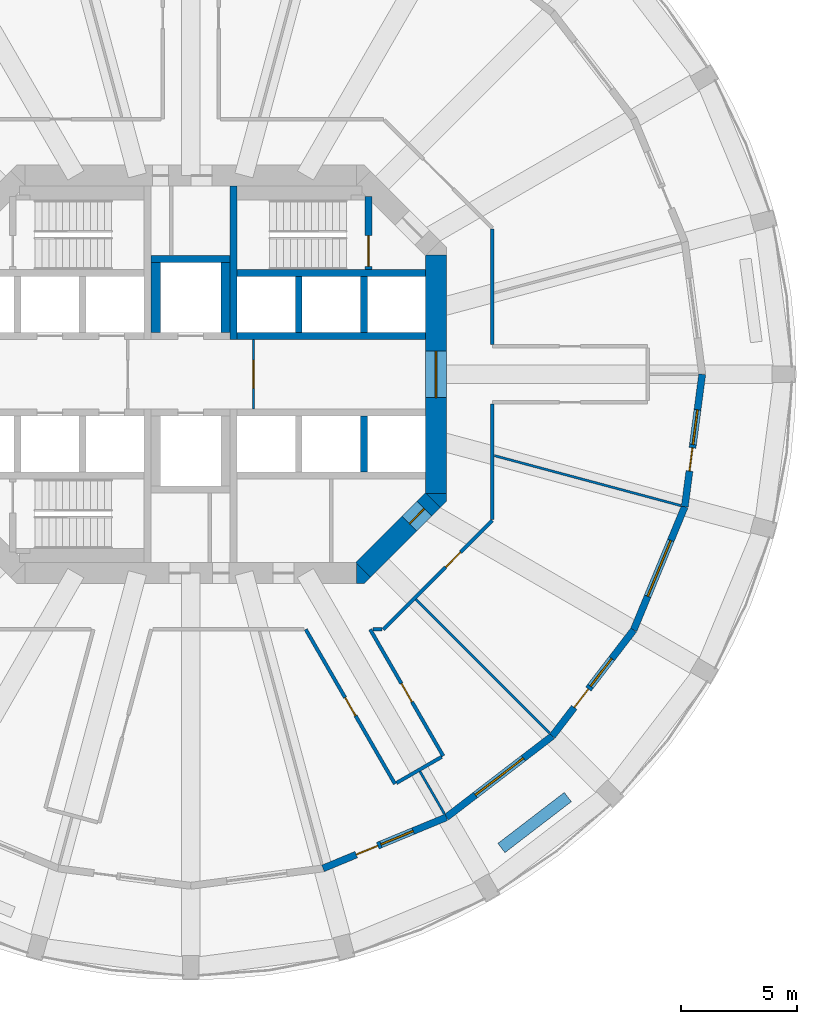
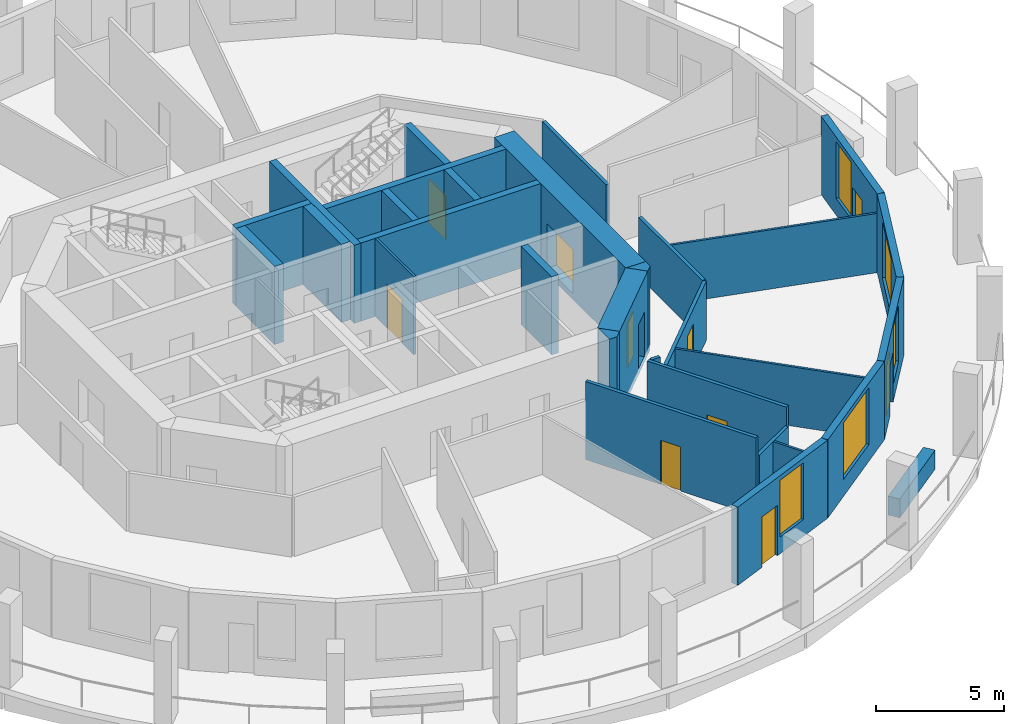
# One storey, part 4 of 8: 31 walls, 10 doors, 5 windows, 15 openings.
"""IFC4 building model written with IfcOpenShell, lengths in metres."""

from ifc_helpers import new_model, si_unit, direction, frame, frame_2d, origin, place, context, subcontext, project, spatial, polyline, rectangle, outline, extrude, material, layer, layer_set, type_object, element, fill, save


model = new_model("IFC4")

# Units and contexts
model_context = context("Model", 3, precision=1e-05, world=origin(), true_north=direction((0.0, 1.0)))
body_context = subcontext(model_context, "Body", "Model", "MODEL_VIEW")
ifc_project = project(units=[si_unit("LENGTHUNIT", "METRE"), si_unit("AREAUNIT", "SQUARE_METRE"), si_unit("VOLUMEUNIT", "CUBIC_METRE"), si_unit("PLANEANGLEUNIT", "RADIAN"), si_unit("MASSUNIT", "GRAM", prefix="KILO")], contexts=[model_context])

# Site, building, storey
site_placement = place(None, origin())
site = spatial("IfcSite", under=ifc_project, at=site_placement, CompositionType="ELEMENT")
building_placement = place(site_placement, origin())
building = spatial("IfcBuilding", under=site, at=building_placement, Name="Torre Triforio", CompositionType="ELEMENT")
storey_placement = place(building_placement, frame((0.0, 0.0, 90.60009765625)))
storey = spatial("IfcBuildingStorey", under=building, at=storey_placement, Name="L19", CompositionType="ELEMENT", Elevation=90.60009765625)

# Wall
ifc_material_1 = material(Name="Concrete C60", Category="concrete")
ifc_layer_1 = layer(ifc_material_1, 0.300048828125)
ifc_layer_set_1 = layer_set([ifc_layer_1], Name="Concrete C60")
wall_type_1 = type_object("IfcWallType", Name="Core wall 300 mm C60 EI 120", PredefinedType="SHEAR", material=ifc_layer_set_1)
wall_1_placement = place(storey_placement, frame((1.85009765625, 1.5, 0.0), z_axis=(0.0, 0.0, 1.0), x_axis=(0.0, 1.0, 0.0)))
element("IfcWall", 1, at=wall_1_placement, inside=storey, type_object=wall_type_1, Name="Core wall", PredefinedType="SHEAR", context=body_context, shape_type="SweptSolid", body=[
    extrude(rectangle(XDim=6.60009765625, YDim=0.300048828125, at=frame_2d((3.300048828125, 0.0))), origin(), (0.0, 0.0, 1.0), 3.719970703125),
])

# Wall, opening, door
ifc_layer_2 = layer(ifc_material_1, 0.89990234375)
ifc_layer_set_2 = layer_set([ifc_layer_2], Name="Concrete C60")
wall_type_2 = type_object("IfcWallType", Name="Core wall 900 mm C60 EI 120", PredefinedType="SHEAR", material=ifc_layer_set_2)
wall_2_placement = place(storey_placement, frame((10.550048828125, -5.1298828125, -0.280029296875), z_axis=(0.0, 0.0, 1.0), x_axis=(0.0, 1.0, 0.0)))
wall_2 = element("IfcWall", 2, at=wall_2_placement, inside=storey, type_object=wall_type_2, Name="Core wall", PredefinedType="SHEAR", context=body_context, shape_type="SweptSolid", body=[
    extrude(rectangle(XDim=10.259765625, YDim=0.89990234375, at=frame_2d((5.1298828125, 0.0))), origin(), (0.0, 0.0, 1.0), 4.0),
])
opening_1_placement = place(wall_2_placement, frame((4.1298828125, 0.0, 0.280029296875)))
opening_1 = element("IfcOpeningElement", 3, at=opening_1_placement, cuts=wall_2, Name="Opening E-RING", PredefinedType="OPENING", context=body_context, shape_type="SweptSolid", body=[
    extrude(rectangle(XDim=2.0, YDim=2.10009765625, at=frame_2d((1.0, 1.050048828125))), frame((0.0, 0.4599609375, 0.0), z_axis=(0.0, -1.0, 0.0), x_axis=(1.0, 0.0, 0.0)), (0.0, 0.0, 1.0), 0.919921875),
])
ifc_material_2 = material(Name="Hollow metal fire door leaf")
door_type_1 = type_object("IfcDoorType", Name="Lobby door 2000 x 2100 EI 60", OperationType="DOUBLE_DOOR_SINGLE_SWING", PredefinedType="DOOR", material=ifc_material_2)
door_1_placement = place(opening_1_placement, origin())
door_1 = element("IfcDoor", 4, at=door_1_placement, inside=storey, type_object=door_type_1, Name="Core door E-RING", OperationType="DOUBLE_DOOR_SINGLE_SWING", OverallHeight=2.10009765625, OverallWidth=2.0, PredefinedType="DOOR", context=body_context, shape_type="SweptSolid", body=[
    extrude(rectangle(XDim=2.0, YDim=2.10009765625, at=frame_2d((1.0, 1.050048828125))), frame((0.0, 0.02490234375, 0.0), z_axis=(0.0, -1.0, 0.0), x_axis=(1.0, 0.0, 0.0)), (0.0, 0.0, 1.0), 0.050048828125),
])
fill(opening_1, door_1)

wall_3_placement = place(storey_placement, frame((10.418212890625, -5.418212890625, -0.280029296875), z_axis=(0.0, 0.0, 1.0), x_axis=(-0.707106781187, -0.707106781187, 0.0)))
wall_3 = element("IfcWall", 5, at=wall_3_placement, inside=storey, type_object=wall_type_2, Name="Core wall", PredefinedType="SHEAR", context=body_context, shape_type="SweptSolid", body=[
    extrude(rectangle(XDim=4.24267578125, YDim=0.89990234375, at=frame_2d((2.121337890625, 0.0))), origin(), (0.0, 0.0, 1.0), 4.0),
])
opening_2_placement = place(wall_3_placement, frame((0.52001953125, 0.0, 0.280029296875)))
opening_2 = element("IfcOpeningElement", 6, at=opening_2_placement, cuts=wall_3, Name="Opening SE-02", PredefinedType="OPENING", context=body_context, shape_type="SweptSolid", body=[
    extrude(rectangle(XDim=0.89990234375, YDim=2.10009765625, at=frame_2d((0.449951171875, 1.050048828125))), frame((0.0, 0.4599609375, 0.0), z_axis=(0.0, -1.0, 0.0), x_axis=(1.0, 0.0, 0.0)), (0.0, 0.0, 1.0), 0.919921875),
])
door_type_2 = type_object("IfcDoorType", Name="Room door 900 x 2100 EI 60", OperationType="NOTDEFINED", PredefinedType="DOOR", material=ifc_material_2)
door_2_placement = place(opening_2_placement, origin())
door_2 = element("IfcDoor", 7, at=door_2_placement, inside=storey, type_object=door_type_2, Name="Core door SE-02", OperationType="SINGLE_SWING_RIGHT", OverallHeight=2.10009765625, OverallWidth=0.89990234375, PredefinedType="DOOR", context=body_context, shape_type="SweptSolid", body=[
    extrude(rectangle(XDim=0.89990234375, YDim=2.10009765625, at=frame_2d((0.449951171875, 1.050048828125))), frame((0.0, 0.02490234375, 0.0), z_axis=(0.0, -1.0, 0.0), x_axis=(1.0, 0.0, 0.0)), (0.0, 0.0, 1.0), 0.050048828125),
])
fill(opening_2, door_2)

# Walls
wall_4_placement = place(storey_placement, frame((0.0, 0.0, -0.280029296875)))
element("IfcWall", 8, at=wall_4_placement, inside=storey, type_object=wall_type_2, Name="Core wall", PredefinedType="SHEAR", context=body_context, shape_type="SweptSolid", body=[
    extrude(outline(polyline([(7.472900390625, -9.0), (7.1298828125, -9.0), (7.1298828125, -8.1298828125), (7.736328125, -8.736328125), (7.472900390625, -9.0)])), origin(), (0.0, 0.0, 1.0), 4.0),
])
wall_5_placement = place(storey_placement, frame((0.0, 0.0, -0.280029296875)))
element("IfcWall", 9, at=wall_5_placement, inside=storey, type_object=wall_type_2, Name="Core wall", PredefinedType="SHEAR", context=body_context, shape_type="SweptSolid", body=[
    extrude(outline(polyline([(11.0, -5.472900390625), (10.736328125, -5.736328125), (10.1298828125, -5.1298828125), (11.0, -5.1298828125), (11.0, -5.472900390625)])), origin(), (0.0, 0.0, 1.0), 4.0),
])
ifc_material_3 = material(Name="Plasterboard on metal studs")
ifc_layer_3 = layer(ifc_material_3, 0.14990234375)
ifc_layer_set_3 = layer_set([ifc_layer_3], Name="Plasterboard on metal studs")
wall_type_3 = type_object("IfcWallType", Name="Corridor and tenancy wall 150 mm EI 60", PredefinedType="PARTITIONING", material=ifc_layer_set_3)
wall_6_placement = place(storey_placement, frame((12.97509765625, -1.27490234375, 0.0), z_axis=(0.0, 0.0, 1.0), x_axis=(0.0, -1.0, 0.0)))
element("IfcWall", 10, at=wall_6_placement, inside=storey, type_object=wall_type_3, Name="Partition 2", PredefinedType="PARTITIONING", context=body_context, shape_type="SweptSolid", body=[
    extrude(rectangle(XDim=4.96337890625, YDim=0.14990234375, at=frame_2d((2.481689453125, 0.0))), origin(), (0.0, 0.0, 1.0), 2.81982421875),
])

# Wall, opening, door
wall_7_placement = place(storey_placement, frame((12.97509765625, -6.291015625, 0.0), z_axis=(0.0, 0.0, 1.0), x_axis=(-0.707106781187, -0.707106781187, 0.0)))
wall_7 = element("IfcWall", 11, at=wall_7_placement, inside=storey, type_object=wall_type_3, Name="Partition 3", PredefinedType="PARTITIONING", context=body_context, shape_type="SweptSolid", body=[
    extrude(rectangle(XDim=6.624267578125, YDim=0.14990234375, at=frame_2d((3.31201171875, 0.0))), origin(), (0.0, 0.0, 1.0), 2.81982421875),
])
opening_3_placement = place(wall_7_placement, frame((1.938232421875, 0.0, 0.0)))
opening_3 = element("IfcOpeningElement", 12, at=opening_3_placement, cuts=wall_7, Name="Opening N6-10", PredefinedType="OPENING", context=body_context, shape_type="SweptSolid", body=[
    extrude(rectangle(XDim=0.89990234375, YDim=2.10009765625, at=frame_2d((0.449951171875, 1.050048828125))), frame((0.0, 0.0849609375, 0.0), z_axis=(0.0, -1.0, 0.0), x_axis=(1.0, 0.0, 0.0)), (0.0, 0.0, 1.0), 0.169921875),
])
ifc_material_4 = material(Name="Timber", Category="wood")
door_type_3 = type_object("IfcDoorType", Name="Door 900 x 2100 single leaf EI 30", OperationType="NOTDEFINED", PredefinedType="DOOR", material=ifc_material_4)
door_3_placement = place(opening_3_placement, origin())
door_3 = element("IfcDoor", 13, at=door_3_placement, inside=storey, type_object=door_type_3, Name="Door N6-10", OperationType="SINGLE_SWING_RIGHT", OverallHeight=2.10009765625, OverallWidth=0.89990234375, PredefinedType="DOOR", context=body_context, shape_type="SweptSolid", body=[
    extrude(rectangle(XDim=0.89990234375, YDim=2.10009765625, at=frame_2d((0.449951171875, 1.050048828125))), frame((0.0, 0.02490234375, 0.0), z_axis=(0.0, -1.0, 0.0), x_axis=(1.0, 0.0, 0.0)), (0.0, 0.0, 1.0), 0.050048828125),
])
fill(opening_3, door_3)

# Wall
wall_8_placement = place(storey_placement, frame((8.23828125, -10.97509765625, 0.0), z_axis=(0.0, 0.0, 1.0), x_axis=(-1.0, 0.0, 0.0)))
element("IfcWall", 14, at=wall_8_placement, inside=storey, type_object=wall_type_3, Name="Partition 4", PredefinedType="PARTITIONING", context=body_context, shape_type="SweptSolid", body=[
    extrude(rectangle(XDim=0.38623046875, YDim=0.14990234375, at=frame_2d((0.193115234375, 0.0))), origin(), (0.0, 0.0, 1.0), 3.719970703125),
])

# Wall, opening, door
wall_9_placement = place(storey_placement, frame((7.72216796875, -10.97509765625, 0.0), z_axis=(0.0, 0.0, 1.0), x_axis=(0.499988183684, -0.86603222583, 0.0)))
wall_9 = element("IfcWall", 15, at=wall_9_placement, inside=storey, type_object=wall_type_3, Name="Partition 5", PredefinedType="PARTITIONING", context=body_context, shape_type="SweptSolid", body=[
    extrude(rectangle(XDim=6.282958984375, YDim=0.14990234375, at=frame_2d((3.1416015625, 0.0))), origin(), (0.0, 0.0, 1.0), 3.719970703125),
])
opening_4_placement = place(wall_9_placement, frame((2.69140625, 0.0, 0.0)))
opening_4 = element("IfcOpeningElement", 16, at=opening_4_placement, cuts=wall_9, Name="Opening N6-09", PredefinedType="OPENING", context=body_context, shape_type="SweptSolid", body=[
    extrude(rectangle(XDim=0.89990234375, YDim=2.10009765625, at=frame_2d((0.449951171875, 1.050048828125))), frame((0.0, 0.0849609375, 0.0), z_axis=(0.0, -1.0, 0.0), x_axis=(1.0, 0.0, 0.0)), (0.0, 0.0, 1.0), 0.169921875),
])
door_4_placement = place(opening_4_placement, origin())
door_4 = element("IfcDoor", 17, at=door_4_placement, inside=storey, type_object=door_type_3, Name="Door N6-09", OperationType="SINGLE_SWING_LEFT", OverallHeight=2.10009765625, OverallWidth=0.89990234375, PredefinedType="DOOR", context=body_context, shape_type="SweptSolid", body=[
    extrude(rectangle(XDim=0.89990234375, YDim=2.10009765625, at=frame_2d((0.449951171875, 1.050048828125))), frame((0.0, 0.02490234375, 0.0), z_axis=(0.0, -1.0, 0.0), x_axis=(1.0, 0.0, 0.0)), (0.0, 0.0, 1.0), 0.050048828125),
])
fill(opening_4, door_4)

# Wall
wall_10_placement = place(storey_placement, frame((10.798583984375, -16.453857421875, 0.0), z_axis=(0.0, 0.0, 1.0), x_axis=(-0.866017533419, -0.500013631625, 0.0)))
element("IfcWall", 18, at=wall_10_placement, inside=storey, type_object=wall_type_3, Name="Partition 6", PredefinedType="PARTITIONING", context=body_context, shape_type="SweptSolid", body=[
    extrude(rectangle(XDim=2.25, YDim=0.14990234375, at=frame_2d((1.125, 0.0))), origin(), (0.0, 0.0, 1.0), 2.81982421875),
])

# Wall, opening, door
wall_11_placement = place(storey_placement, frame((8.78515625, -17.6162109375, 0.0), z_axis=(0.0, 0.0, 1.0), x_axis=(-0.500021918639, 0.866012748683, 0.0)))
wall_11 = element("IfcWall", 19, at=wall_11_placement, inside=storey, type_object=wall_type_3, Name="Partition 7", PredefinedType="PARTITIONING", context=body_context, shape_type="SweptSolid", body=[
    extrude(rectangle(XDim=7.668701171875, YDim=0.14990234375, at=frame_2d((3.83447265625, 0.0))), origin(), (0.0, 0.0, 1.0), 3.719970703125),
])
opening_5_placement = place(wall_11_placement, frame((3.38427734375, 0.0, 0.0)))
opening_5 = element("IfcOpeningElement", 20, at=opening_5_placement, cuts=wall_11, Name="Opening N6-08", PredefinedType="OPENING", context=body_context, shape_type="SweptSolid", body=[
    extrude(rectangle(XDim=0.89990234375, YDim=2.10009765625, at=frame_2d((0.449951171875, 1.050048828125))), frame((0.0, 0.0849609375, 0.0), z_axis=(0.0, -1.0, 0.0), x_axis=(1.0, 0.0, 0.0)), (0.0, 0.0, 1.0), 0.169921875),
])
door_5_placement = place(opening_5_placement, origin())
door_5 = element("IfcDoor", 21, at=door_5_placement, inside=storey, type_object=door_type_3, Name="Door N6-08", OperationType="SINGLE_SWING_RIGHT", OverallHeight=2.10009765625, OverallWidth=0.89990234375, PredefinedType="DOOR", context=body_context, shape_type="SweptSolid", body=[
    extrude(rectangle(XDim=0.89990234375, YDim=2.10009765625, at=frame_2d((0.449951171875, 1.050048828125))), frame((0.0, 0.02490234375, 0.0), z_axis=(0.0, -1.0, 0.0), x_axis=(1.0, 0.0, 0.0)), (0.0, 0.0, 1.0), 0.050048828125),
])
fill(opening_5, door_5)

# Wall
wall_12_placement = place(storey_placement, frame((12.97509765625, 6.23828125, 0.0), z_axis=(0.0, 0.0, 1.0), x_axis=(0.0, -1.0, 0.0)))
element("IfcWall", 22, at=wall_12_placement, inside=storey, type_object=wall_type_3, Name="Partition 26", PredefinedType="PARTITIONING", context=body_context, shape_type="SweptSolid", body=[
    extrude(rectangle(XDim=4.96337890625, YDim=0.14990234375, at=frame_2d((2.481689453125, 0.0))), origin(), (0.0, 0.0, 1.0), 2.81982421875),
])

# Wall, opening, door
ifc_material_5 = material(Name="Block and board partition")
ifc_layer_4 = layer(ifc_material_5, 0.10009765625)
ifc_layer_set_4 = layer_set([ifc_layer_4], Name="Block and board partition")
wall_type_4 = type_object("IfcWallType", Name="Partition 100 mm EI 120", PredefinedType="PARTITIONING", material=ifc_layer_set_4)
wall_13_placement = place(storey_placement, frame((2.699951171875, -1.5, 0.0), z_axis=(0.0, 0.0, 1.0), x_axis=(0.0, 1.0, 0.0)))
wall_13 = element("IfcWall", 23, at=wall_13_placement, inside=storey, type_object=wall_type_4, Name="Partition", PredefinedType="PARTITIONING", context=body_context, shape_type="SweptSolid", body=[
    extrude(rectangle(XDim=3.0, YDim=0.10009765625, at=frame_2d((1.5, 0.0))), origin(), (0.0, 0.0, 1.0), 3.719970703125),
])
opening_6_placement = place(wall_13_placement, frame((0.89990234375, 0.0, 0.0)))
opening_6 = element("IfcOpeningElement", 24, at=opening_6_placement, cuts=wall_13, Name="Opening FF-E", PredefinedType="OPENING", context=body_context, shape_type="SweptSolid", body=[
    extrude(rectangle(XDim=1.199951171875, YDim=2.10009765625, at=frame_2d((0.60009765625, 1.050048828125))), frame((0.0, 0.06005859375, 0.0), z_axis=(0.0, -1.0, 0.0), x_axis=(1.0, 0.0, 0.0)), (0.0, 0.0, 1.0), 0.1201171875),
])
door_type_4 = type_object("IfcDoorType", Name="Fire-fighting lobby door 1200 x 2100 EI 60", OperationType="NOTDEFINED", PredefinedType="DOOR", material=ifc_material_2)
door_6_placement = place(opening_6_placement, origin())
door_6 = element("IfcDoor", 25, at=door_6_placement, inside=storey, type_object=door_type_4, Name="Core door FF-E", OperationType="SINGLE_SWING_LEFT", OverallHeight=2.10009765625, OverallWidth=1.199951171875, PredefinedType="DOOR", context=body_context, shape_type="SweptSolid", body=[
    extrude(rectangle(XDim=1.199951171875, YDim=2.10009765625, at=frame_2d((0.60009765625, 1.050048828125))), frame((0.0, 0.02490234375, 0.0), z_axis=(0.0, -1.0, 0.0), x_axis=(1.0, 0.0, 0.0)), (0.0, 0.0, 1.0), 0.050048828125),
])
fill(opening_6, door_6)

# Walls
ifc_layer_5 = layer(ifc_material_3, 0.10009765625)
ifc_layer_set_5 = layer_set([ifc_layer_5], Name="Plasterboard on metal studs")
wall_type_5 = type_object("IfcWallType", Name="Partition 100 mm board on metal studs", PredefinedType="PARTITIONING", material=ifc_layer_set_5)
wall_14_placement = place(storey_placement, frame((9.86181640625, -17.081298828125, 0.0), z_axis=(0.0, 0.0, 1.0), x_axis=(0.500065834316, -0.865987390988, 0.0)))
element("IfcWall", 26, at=wall_14_placement, inside=storey, type_object=wall_type_5, Name="Partition 38", PredefinedType="PARTITIONING", context=body_context, shape_type="SweptSolid", body=[
    extrude(rectangle(XDim=2.113037109375, YDim=0.10009765625, at=frame_2d((1.056640625, 0.0))), origin(), (0.0, 0.0, 1.0), 2.81982421875),
])
wall_15_placement = place(storey_placement, frame((9.68603515625, -9.68603515625, 0.0), z_axis=(0.0, 0.0, 1.0), x_axis=(0.707106781187, -0.707106781187, 0.0)))
element("IfcWall", 27, at=wall_15_placement, inside=storey, type_object=wall_type_5, Name="Partition 39", PredefinedType="PARTITIONING", context=body_context, shape_type="SweptSolid", body=[
    extrude(rectangle(XDim=8.138671875, YDim=0.10009765625, at=frame_2d((4.0693359375, 0.0))), origin(), (0.0, 0.0, 1.0), 2.81982421875),
])
wall_16_placement = place(storey_placement, frame((13.064208984375, -3.50048828125, 0.0), z_axis=(0.0, 0.0, 1.0), x_axis=(0.965920254223, -0.258839839442, 0.0)))
element("IfcWall", 28, at=wall_16_placement, inside=storey, type_object=wall_type_5, Name="Partition 40", PredefinedType="PARTITIONING", context=body_context, shape_type="SweptSolid", body=[
    extrude(rectangle(XDim=8.3115234375, YDim=0.10009765625, at=frame_2d((4.15576171875, 0.0))), origin(), (0.0, 0.0, 1.0), 2.81982421875),
])
ifc_material_6 = material(Name="Limestone cladding", Category="masonry")
ifc_layer_6 = layer(ifc_material_6, 0.10009765625)
ifc_material_7 = material(Name="Concrete C40", Category="concrete")
ifc_layer_7 = layer(ifc_material_7, 0.39990234375)
ifc_layer_set_6 = layer_set([ifc_layer_6, ifc_layer_7], Name="Limestone cladding / Concrete C40")
wall_type_6 = type_object("IfcWallType", Name="Planter wall 500", PredefinedType="PARAPET", material=ifc_layer_set_6)
wall_17_placement = place(storey_placement, frame((13.364990234375, -20.374267578125, 0.0), z_axis=(0.0, 0.0, 1.0), x_axis=(0.793326845617, 0.608795955984, 0.0)))
element("IfcWall", 29, at=wall_17_placement, inside=storey, type_object=wall_type_6, Name="Planter L19 bay 21", PredefinedType="PARAPET", context=body_context, shape_type="SweptSolid", body=[
    extrude(rectangle(XDim=3.599853515625, YDim=0.5, at=frame_2d((1.7998046875, 0.0))), origin(), (0.0, 0.0, 1.0), 0.89990234375),
])
ifc_layer_8 = layer(ifc_material_1, 0.300048828125)
ifc_layer_set_7 = layer_set([ifc_layer_8], Name="Concrete C60")
wall_type_7 = type_object("IfcWallType", Name="Shaft wall 300 mm C60 EI 120", PredefinedType="SOLIDWALL", material=ifc_layer_set_7)
for number, where, z_axis, x_axis, name in (
    (30, (2.0, 4.35009765625, 0.0), (0.0, 0.0, 1.0), (1.0, 0.0, 0.0), "Shaft wall"),
    (31, (2.0, 1.64990234375, 0.0), (0.0, 0.0, 1.0), (1.0, 0.0, 0.0), "Shaft wall"),
):
    element("IfcWall", number, at=place(storey_placement, frame(where, z_axis=z_axis, x_axis=x_axis)), inside=storey, type_object=wall_type_7, Name=name, PredefinedType="SOLIDWALL", context=body_context, shape_type="SweptSolid", body=[
        extrude(rectangle(XDim=8.10009765625, YDim=0.300048828125, at=frame_2d((4.050048828125, 0.0))), origin(), (0.0, 0.0, 1.0), 3.719970703125),
    ])
for number, where, z_axis, x_axis, name in (
    (32, (4.64990234375, 1.800048828125, 0.0), (0.0, 0.0, 1.0), (0.0, 1.0, 0.0), "Shaft wall"),
    (33, (7.449951171875, 1.800048828125, 0.0), (0.0, 0.0, 1.0), (0.0, 1.0, 0.0), "Shaft wall"),
    (34, (7.449951171875, -4.199951171875, 0.0), (0.0, 0.0, 1.0), (0.0, 1.0, 0.0), "Shaft wall"),
):
    element("IfcWall", number, at=place(storey_placement, frame(where, z_axis=z_axis, x_axis=x_axis)), inside=storey, type_object=wall_type_7, Name=name, PredefinedType="SOLIDWALL", context=body_context, shape_type="SweptSolid", body=[
        extrude(rectangle(XDim=2.39990234375, YDim=0.300048828125, at=frame_2d((1.199951171875, 0.0))), origin(), (0.0, 0.0, 1.0), 3.719970703125),
    ])
wall_18_placement = place(storey_placement, frame((-1.699951171875, 4.949951171875, 0.0), z_axis=(0.0, 0.0, 1.0), x_axis=(1.0, 0.0, 0.0)))
element("IfcWall", 35, at=wall_18_placement, inside=storey, type_object=wall_type_7, Name="Shaft wall", PredefinedType="SOLIDWALL", context=body_context, shape_type="SweptSolid", body=[
    extrude(rectangle(XDim=3.39990234375, YDim=0.300048828125, at=frame_2d((1.699951171875, 0.0))), origin(), (0.0, 0.0, 1.0), 3.719970703125),
])
ifc_layer_9 = layer(ifc_material_1, 0.39990234375)
ifc_layer_set_8 = layer_set([ifc_layer_9], Name="Concrete C60")
wall_type_8 = type_object("IfcWallType", Name="Shaft wall 400 mm C60 EI 120", PredefinedType="SOLIDWALL", material=ifc_layer_set_8)
for number, where, z_axis, x_axis, name in (
    (36, (-1.5, 1.800048828125, 0.0), (0.0, 0.0, 1.0), (0.0, 1.0, 0.0), "Shaft wall"),
    (37, (1.5, 1.800048828125, 0.0), (0.0, 0.0, 1.0), (0.0, 1.0, 0.0), "Shaft wall"),
):
    element("IfcWall", number, at=place(storey_placement, frame(where, z_axis=z_axis, x_axis=x_axis)), inside=storey, type_object=wall_type_8, Name=name, PredefinedType="SOLIDWALL", context=body_context, shape_type="SweptSolid", body=[
        extrude(rectangle(XDim=3.0, YDim=0.39990234375, at=frame_2d((1.5, 0.0))), origin(), (0.0, 0.0, 1.0), 3.719970703125),
    ])

# Wall, opening, door
ifc_layer_10 = layer(ifc_material_1, 0.300048828125)
ifc_layer_set_9 = layer_set([ifc_layer_10], Name="Concrete C60")
wall_type_9 = type_object("IfcWallType", Name="Stair wall 300 mm C60 EI 120", PredefinedType="SHEAR", material=ifc_layer_set_9)
wall_19_placement = place(storey_placement, frame((7.64990234375, 4.5, 0.0), z_axis=(0.0, 0.0, 1.0), x_axis=(0.0, 1.0, 0.0)))
wall_19 = element("IfcWall", 38, at=wall_19_placement, inside=storey, type_object=wall_type_9, Name="Stair wall", PredefinedType="SHEAR", context=body_context, shape_type="SweptSolid", body=[
    extrude(rectangle(XDim=3.139892578125, YDim=0.300048828125, at=frame_2d((1.56982421875, 0.0))), origin(), (0.0, 0.0, 1.0), 3.719970703125),
])
opening_7_placement = place(wall_19_placement, frame((0.139892578125, 0.0, 0.0)))
opening_7 = element("IfcOpeningElement", 39, at=opening_7_placement, cuts=wall_19, Name="Opening ST2-STA", PredefinedType="OPENING", context=body_context, shape_type="SweptSolid", body=[
    extrude(rectangle(XDim=1.320068359375, YDim=2.10009765625, at=frame_2d((0.66015625, 1.050048828125))), frame((0.0, 0.159912109375, 0.0), z_axis=(0.0, -1.0, 0.0), x_axis=(1.0, 0.0, 0.0)), (0.0, 0.0, 1.0), 0.320068359375),
])
door_type_5 = type_object("IfcDoorType", Name="Stair door 1320 x 2100 EI 90", OperationType="DOUBLE_DOOR_SINGLE_SWING", PredefinedType="DOOR", material=ifc_material_2)
door_7_placement = place(opening_7_placement, origin())
door_7 = element("IfcDoor", 40, at=door_7_placement, inside=storey, type_object=door_type_5, Name="Core door ST2-ST", OperationType="DOUBLE_DOOR_SINGLE_SWING", OverallHeight=2.10009765625, OverallWidth=1.320068359375, PredefinedType="DOOR", context=body_context, shape_type="SweptSolid", body=[
    extrude(rectangle(XDim=1.320068359375, YDim=2.10009765625, at=frame_2d((0.66015625, 1.050048828125))), frame((0.0, 0.02490234375, 0.0), z_axis=(0.0, -1.0, 0.0), x_axis=(1.0, 0.0, 0.0)), (0.0, 0.0, 1.0), 0.050048828125),
])
fill(opening_7, door_7)

# Wall, openings, door, window
ifc_layer_11 = layer(ifc_material_6, 0.10009765625)
ifc_layer_12 = layer(ifc_material_7, 0.199951171875)
ifc_layer_set_10 = layer_set([ifc_layer_11, ifc_layer_12], Name="Limestone cladding / Concrete C40")
wall_type_10 = type_object("IfcWallType", Name="Stone-faced composite wall 300", PredefinedType="STANDARD", material=ifc_layer_set_10)
wall_20_placement = place(storey_placement, frame((5.694091796875, -21.25048828125, 0.0), z_axis=(0.0, 0.0, 1.0), x_axis=(0.923866055759, 0.382715966503, 0.0)))
wall_20 = element("IfcWall", 41, at=wall_20_placement, inside=storey, type_object=wall_type_10, Name="External wall L19 bay 20", PredefinedType="STANDARD", context=body_context, shape_type="SweptSolid", body=[
    extrude(rectangle(XDim=5.7431640625, YDim=0.300048828125, at=frame_2d((2.87158203125, 0.0))), origin(), (0.0, 0.0, 1.0), 3.719970703125),
])
opening_8_placement = place(wall_20_placement, frame((1.546630859375, 0.0, 0.0)))
opening_8 = element("IfcOpeningElement", 42, at=opening_8_placement, cuts=wall_20, Name="Opening N6-D20", PredefinedType="OPENING", context=body_context, shape_type="SweptSolid", body=[
    extrude(rectangle(XDim=1.0, YDim=2.39990234375, at=frame_2d((0.5, 1.199951171875))), frame((0.0, 0.159912109375, 0.0), z_axis=(0.0, -1.0, 0.0), x_axis=(1.0, 0.0, 0.0)), (0.0, 0.0, 1.0), 0.320068359375),
])
opening_9_placement = place(wall_20_placement, frame((2.696533203125, 0.0, 0.800048828125)))
opening_9 = element("IfcOpeningElement", 43, at=opening_9_placement, cuts=wall_20, Name="Opening N6-W20A", PredefinedType="OPENING", context=body_context, shape_type="SweptSolid", body=[
    extrude(rectangle(XDim=1.5, YDim=2.699951171875, at=frame_2d((0.75, 1.35009765625))), frame((0.0, 0.159912109375, 0.0), z_axis=(0.0, -1.0, 0.0), x_axis=(1.0, 0.0, 0.0)), (0.0, 0.0, 1.0), 0.320068359375),
])
ifc_material_8 = material(Name="Aluminium frame with clear double glazing", Category="aluminium")
door_type_6 = type_object("IfcDoorType", Name="Loggia door 1000 x 2400", OperationType="NOTDEFINED", PredefinedType="DOOR", material=ifc_material_8)
door_8_placement = place(opening_8_placement, origin())
door_8 = element("IfcDoor", 44, at=door_8_placement, inside=storey, type_object=door_type_6, Name="Loggia door L19 bay 20", OperationType="SINGLE_SWING_RIGHT", OverallHeight=2.39990234375, OverallWidth=1.0, PredefinedType="DOOR", context=body_context, shape_type="SweptSolid", body=[
    extrude(rectangle(XDim=1.0, YDim=2.39990234375, at=frame_2d((0.5, 1.199951171875))), frame((0.0, 0.02490234375, 0.0), z_axis=(0.0, -1.0, 0.0), x_axis=(1.0, 0.0, 0.0)), (0.0, 0.0, 1.0), 0.050048828125),
])
fill(opening_8, door_8)
window_type_1 = type_object("IfcWindowType", Name="Side window 1500 x 2700", PartitioningType="SINGLE_PANEL", PredefinedType="WINDOW", material=ifc_material_8)
window_1_placement = place(opening_9_placement, origin())
window_1 = element("IfcWindow", 45, at=window_1_placement, inside=storey, type_object=window_type_1, Name="Side window EWN12 L19 bay 20", OverallHeight=2.699951171875, OverallWidth=1.5, PartitioningType="SINGLE_PANEL", PredefinedType="WINDOW", context=body_context, shape_type="SweptSolid", body=[
    extrude(rectangle(XDim=1.5, YDim=2.699951171875, at=frame_2d((0.75, 1.35009765625))), frame((0.0, 0.030029296875, 0.0), z_axis=(0.0, -1.0, 0.0), x_axis=(1.0, 0.0, 0.0)), (0.0, 0.0, 1.0), 0.06005859375),
])
fill(opening_9, window_1)

# Wall, opening, window
wall_21_placement = place(storey_placement, frame((11.0, -19.052490234375, 0.0), z_axis=(0.0, 0.0, 1.0), x_axis=(0.793366142647, 0.608744744291, 0.0)))
wall_21 = element("IfcWall", 46, at=wall_21_placement, inside=storey, type_object=wall_type_10, Name="External wall L19 bay 21", PredefinedType="STANDARD", context=body_context, shape_type="SweptSolid", body=[
    extrude(rectangle(XDim=5.7431640625, YDim=0.300048828125, at=frame_2d((2.87158203125, 0.0))), origin(), (0.0, 0.0, 1.0), 3.719970703125),
])
opening_10_placement = place(wall_21_placement, frame((1.571533203125, 0.0, 0.800048828125)))
opening_10 = element("IfcOpeningElement", 47, at=opening_10_placement, cuts=wall_21, Name="Opening N6-W21", PredefinedType="OPENING", context=body_context, shape_type="SweptSolid", body=[
    extrude(rectangle(XDim=2.60009765625, YDim=2.699951171875, at=frame_2d((1.300048828125, 1.35009765625))), frame((0.0, 0.159912109375, 0.0), z_axis=(0.0, -1.0, 0.0), x_axis=(1.0, 0.0, 0.0)), (0.0, 0.0, 1.0), 0.320068359375),
])
window_type_2 = type_object("IfcWindowType", Name="Punched window 2600 x 2700", PartitioningType="DOUBLE_PANEL_VERTICAL", PredefinedType="WINDOW", material=ifc_material_8)
window_2_placement = place(opening_10_placement, origin())
window_2 = element("IfcWindow", 48, at=window_2_placement, inside=storey, type_object=window_type_2, Name="Window EWN2 L19 bay 21", OverallHeight=2.699951171875, OverallWidth=2.60009765625, PartitioningType="SINGLE_PANEL", PredefinedType="WINDOW", context=body_context, shape_type="SweptSolid", body=[
    extrude(rectangle(XDim=2.60009765625, YDim=2.699951171875, at=frame_2d((1.300048828125, 1.35009765625))), frame((0.0, 0.030029296875, 0.0), z_axis=(0.0, -1.0, 0.0), x_axis=(1.0, 0.0, 0.0)), (0.0, 0.0, 1.0), 0.06005859375),
])
fill(opening_10, window_2)

# Wall, openings, door, window
wall_22_placement = place(storey_placement, frame((15.556396484375, -15.556396484375, 0.0), z_axis=(0.0, 0.0, 1.0), x_axis=(0.608744744291, 0.793366142647, 0.0)))
wall_22 = element("IfcWall", 49, at=wall_22_placement, inside=storey, type_object=wall_type_10, Name="External wall L19 bay 22", PredefinedType="STANDARD", context=body_context, shape_type="SweptSolid", body=[
    extrude(rectangle(XDim=5.7431640625, YDim=0.300048828125, at=frame_2d((2.87158203125, 0.0))), origin(), (0.0, 0.0, 1.0), 3.719970703125),
])
opening_11_placement = place(wall_22_placement, frame((1.546630859375, 0.0, 0.0)))
opening_11 = element("IfcOpeningElement", 50, at=opening_11_placement, cuts=wall_22, Name="Opening N6-D22", PredefinedType="OPENING", context=body_context, shape_type="SweptSolid", body=[
    extrude(rectangle(XDim=1.0, YDim=2.39990234375, at=frame_2d((0.5, 1.199951171875))), frame((0.0, 0.159912109375, 0.0), z_axis=(0.0, -1.0, 0.0), x_axis=(1.0, 0.0, 0.0)), (0.0, 0.0, 1.0), 0.320068359375),
])
opening_12_placement = place(wall_22_placement, frame((2.696533203125, 0.0, 0.800048828125)))
opening_12 = element("IfcOpeningElement", 51, at=opening_12_placement, cuts=wall_22, Name="Opening N6-W22A", PredefinedType="OPENING", context=body_context, shape_type="SweptSolid", body=[
    extrude(rectangle(XDim=1.5, YDim=2.699951171875, at=frame_2d((0.75, 1.35009765625))), frame((0.0, 0.159912109375, 0.0), z_axis=(0.0, -1.0, 0.0), x_axis=(1.0, 0.0, 0.0)), (0.0, 0.0, 1.0), 0.320068359375),
])
door_9_placement = place(opening_11_placement, origin())
door_9 = element("IfcDoor", 52, at=door_9_placement, inside=storey, type_object=door_type_6, Name="Loggia door L19 bay 22", OperationType="SINGLE_SWING_LEFT", OverallHeight=2.39990234375, OverallWidth=1.0, PredefinedType="DOOR", context=body_context, shape_type="SweptSolid", body=[
    extrude(rectangle(XDim=1.0, YDim=2.39990234375, at=frame_2d((0.5, 1.199951171875))), frame((0.0, 0.02490234375, 0.0), z_axis=(0.0, -1.0, 0.0), x_axis=(1.0, 0.0, 0.0)), (0.0, 0.0, 1.0), 0.050048828125),
])
fill(opening_11, door_9)
window_3_placement = place(opening_12_placement, origin())
window_3 = element("IfcWindow", 53, at=window_3_placement, inside=storey, type_object=window_type_1, Name="Side window EWN12 L19 bay 22", OverallHeight=2.699951171875, OverallWidth=1.5, PartitioningType="SINGLE_PANEL", PredefinedType="WINDOW", context=body_context, shape_type="SweptSolid", body=[
    extrude(rectangle(XDim=1.5, YDim=2.699951171875, at=frame_2d((0.75, 1.35009765625))), frame((0.0, 0.030029296875, 0.0), z_axis=(0.0, -1.0, 0.0), x_axis=(1.0, 0.0, 0.0)), (0.0, 0.0, 1.0), 0.06005859375),
])
fill(opening_12, window_3)

# Wall, opening, window
wall_23_placement = place(storey_placement, frame((19.052490234375, -11.0, 0.0), z_axis=(0.0, 0.0, 1.0), x_axis=(0.382715966503, 0.923866055759, 0.0)))
wall_23 = element("IfcWall", 54, at=wall_23_placement, inside=storey, type_object=wall_type_10, Name="External wall L19 bay 23", PredefinedType="STANDARD", context=body_context, shape_type="SweptSolid", body=[
    extrude(rectangle(XDim=5.7431640625, YDim=0.300048828125, at=frame_2d((2.87158203125, 0.0))), origin(), (0.0, 0.0, 1.0), 3.719970703125),
])
opening_13_placement = place(wall_23_placement, frame((1.571533203125, 0.0, 0.800048828125)))
opening_13 = element("IfcOpeningElement", 55, at=opening_13_placement, cuts=wall_23, Name="Opening N6-W23", PredefinedType="OPENING", context=body_context, shape_type="SweptSolid", body=[
    extrude(rectangle(XDim=2.60009765625, YDim=2.699951171875, at=frame_2d((1.300048828125, 1.35009765625))), frame((0.0, 0.159912109375, 0.0), z_axis=(0.0, -1.0, 0.0), x_axis=(1.0, 0.0, 0.0)), (0.0, 0.0, 1.0), 0.320068359375),
])
window_4_placement = place(opening_13_placement, origin())
window_4 = element("IfcWindow", 56, at=window_4_placement, inside=storey, type_object=window_type_2, Name="Window EWN2 L19 bay 23", OverallHeight=2.699951171875, OverallWidth=2.60009765625, PartitioningType="SINGLE_PANEL", PredefinedType="WINDOW", context=body_context, shape_type="SweptSolid", body=[
    extrude(rectangle(XDim=2.60009765625, YDim=2.699951171875, at=frame_2d((1.300048828125, 1.35009765625))), frame((0.0, 0.030029296875, 0.0), z_axis=(0.0, -1.0, 0.0), x_axis=(1.0, 0.0, 0.0)), (0.0, 0.0, 1.0), 0.06005859375),
])
fill(opening_13, window_4)

# Wall, openings, door, window
wall_24_placement = place(storey_placement, frame((21.25048828125, -5.694091796875, 0.0), z_axis=(0.0, 0.0, 1.0), x_axis=(0.130503995834, 0.991447783331, 0.0)))
wall_24 = element("IfcWall", 57, at=wall_24_placement, inside=storey, type_object=wall_type_10, Name="External wall L19 bay 24", PredefinedType="STANDARD", context=body_context, shape_type="SweptSolid", body=[
    extrude(rectangle(XDim=5.7431640625, YDim=0.300048828125, at=frame_2d((2.87158203125, 0.0))), origin(), (0.0, 0.0, 1.0), 3.719970703125),
])
opening_14_placement = place(wall_24_placement, frame((1.546630859375, 0.0, 0.0)))
opening_14 = element("IfcOpeningElement", 58, at=opening_14_placement, cuts=wall_24, Name="Opening N6-D24", PredefinedType="OPENING", context=body_context, shape_type="SweptSolid", body=[
    extrude(rectangle(XDim=1.0, YDim=2.39990234375, at=frame_2d((0.5, 1.199951171875))), frame((0.0, 0.159912109375, 0.0), z_axis=(0.0, -1.0, 0.0), x_axis=(1.0, 0.0, 0.0)), (0.0, 0.0, 1.0), 0.320068359375),
])
opening_15_placement = place(wall_24_placement, frame((2.696533203125, 0.0, 0.800048828125)))
opening_15 = element("IfcOpeningElement", 59, at=opening_15_placement, cuts=wall_24, Name="Opening N6-W24A", PredefinedType="OPENING", context=body_context, shape_type="SweptSolid", body=[
    extrude(rectangle(XDim=1.5, YDim=2.699951171875, at=frame_2d((0.75, 1.35009765625))), frame((0.0, 0.159912109375, 0.0), z_axis=(0.0, -1.0, 0.0), x_axis=(1.0, 0.0, 0.0)), (0.0, 0.0, 1.0), 0.320068359375),
])
door_10_placement = place(opening_14_placement, origin())
door_10 = element("IfcDoor", 60, at=door_10_placement, inside=storey, type_object=door_type_6, Name="Loggia door L19 bay 24", OperationType="SINGLE_SWING_LEFT", OverallHeight=2.39990234375, OverallWidth=1.0, PredefinedType="DOOR", context=body_context, shape_type="SweptSolid", body=[
    extrude(rectangle(XDim=1.0, YDim=2.39990234375, at=frame_2d((0.5, 1.199951171875))), frame((0.0, 0.02490234375, 0.0), z_axis=(0.0, -1.0, 0.0), x_axis=(1.0, 0.0, 0.0)), (0.0, 0.0, 1.0), 0.050048828125),
])
fill(opening_14, door_10)
window_5_placement = place(opening_15_placement, origin())
window_5 = element("IfcWindow", 61, at=window_5_placement, inside=storey, type_object=window_type_1, Name="Side window EWN12 L19 bay 24", OverallHeight=2.699951171875, OverallWidth=1.5, PartitioningType="SINGLE_PANEL", PredefinedType="WINDOW", context=body_context, shape_type="SweptSolid", body=[
    extrude(rectangle(XDim=1.5, YDim=2.699951171875, at=frame_2d((0.75, 1.35009765625))), frame((0.0, 0.030029296875, 0.0), z_axis=(0.0, -1.0, 0.0), x_axis=(1.0, 0.0, 0.0)), (0.0, 0.0, 1.0), 0.06005859375),
])
fill(opening_15, window_5)

save(model, "model.ifc")
